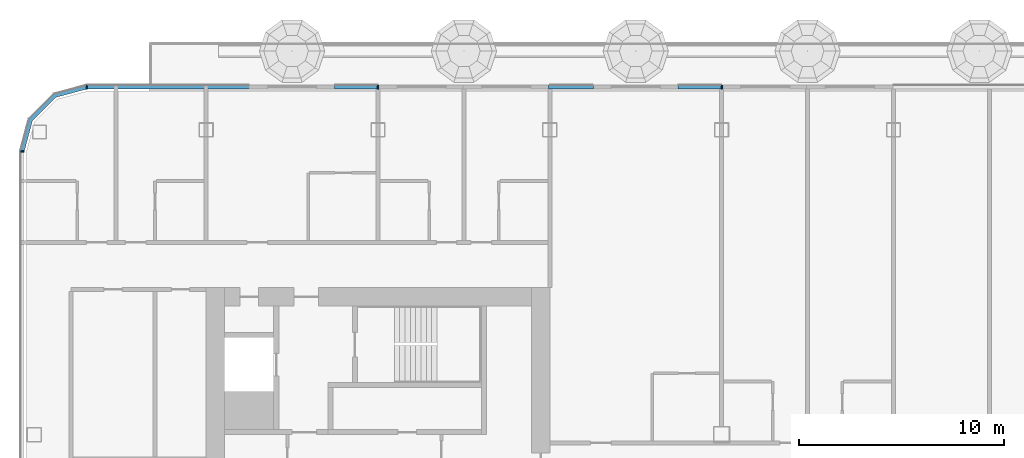
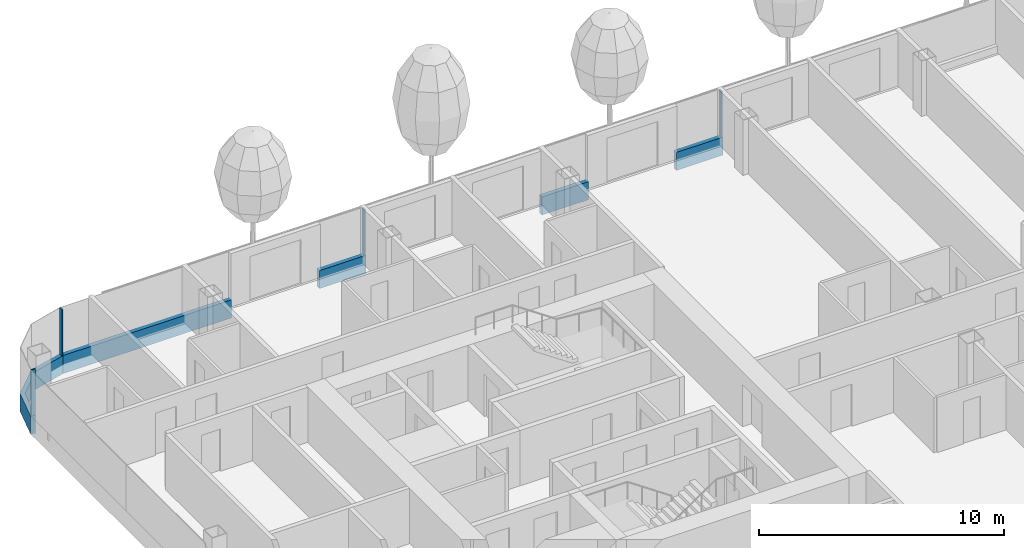
# One storey, part 5 of 30: 9 members, 3 elements without a shape of their own.
"""IFC4 building model written with IfcOpenShell, lengths in metres."""

import ifcopenshell
import ifcopenshell.guid

model = None  # the IFC model being written
_history = None  # IfcOwnerHistory: only IFC2X3 demands one
_inside = {}  # id of a spatial element -> (the spatial element, [elements in it])
_under = {}  # id of a project, library or spatial element -> (it, [spatial elements below it])
_declared = {}  # id of a project -> (the project, [libraries it declares])
_typed = {}  # id of a type object -> (the type object, [elements of that type])
_made_of = {}  # id of a material, layer set ... -> (it, [elements and type objects made of it])


def new_model(schema):
    """Start an empty IFC model of exactly this schema.

    Asked for "IFC4X3", IfcOpenShell would pick the latest addendum, in which some entities
    have other attributes; the version numbers below select the first issue.
    IFC2X3 requires an IfcOwnerHistory on every rooted entity: one is made here for all.
    """
    global model, _history
    if schema == "IFC4X3":
        model = ifcopenshell.file(schema_version=(4, 3, 0, 0))
    else:
        model = ifcopenshell.file(schema=schema)
    _inside.clear()
    _under.clear()
    _declared.clear()
    _typed.clear()
    _made_of.clear()
    _history = None
    if model.schema == "IFC2X3":
        org = make("IfcOrganization", Name="unknown")
        user = make(
            "IfcPersonAndOrganization",
            ThePerson=make("IfcPerson", FamilyName="unknown"),
            TheOrganization=org,
        )
        app = make(
            "IfcApplication",
            ApplicationDeveloper=org,
            Version="unknown",
            ApplicationFullName="unknown",
            ApplicationIdentifier="unknown",
        )
        _history = make(
            "IfcOwnerHistory",
            OwningUser=user,
            OwningApplication=app,
            ChangeAction="ADDED",
            CreationDate=0,
        )
    return model


def make(cls, **values):
    """One entity of the class cls with the attributes given. An attribute that is None is left unset."""
    return model.create_entity(
        cls, **{name: value for name, value in values.items() if value is not None}
    )


def rooted(cls, **values):
    """An entity with a GlobalId (a new one), such as an element, a storey or a relation."""
    return make(cls, GlobalId=ifcopenshell.guid.new(), OwnerHistory=_history, **values)


def si_unit(unit_type, name, prefix=None):
    """IfcSIUnit, for example si_unit("LENGTHUNIT", "METRE", prefix="MILLI")."""
    return make("IfcSIUnit", UnitType=unit_type, Prefix=prefix, Name=name)


def assignment(units):
    """IfcUnitAssignment: the units of a project."""
    return None if units is None else make("IfcUnitAssignment", Units=units)


def point(xyz):
    """IfcCartesianPoint."""
    return None if xyz is None else make("IfcCartesianPoint", Coordinates=xyz)


def direction(xyz):
    """IfcDirection."""
    return None if xyz is None else make("IfcDirection", DirectionRatios=xyz)


def frame(location, z_axis=None, x_axis=None):
    """IfcAxis2Placement3D, a coordinate frame: its origin and axes. An axis left out is left unset."""
    return make(
        "IfcAxis2Placement3D",
        Location=point(location),
        Axis=direction(z_axis),
        RefDirection=direction(x_axis),
    )


def frame_2d(location, x_axis=None):
    """IfcAxis2Placement2D, a coordinate frame in the plane: its origin and x axis."""
    return make(
        "IfcAxis2Placement2D", Location=point(location), RefDirection=direction(x_axis)
    )


def origin():
    """The frame at (0, 0, 0) with its axes left unset."""
    return frame((0.0, 0.0, 0.0))


def origin_2d():
    """The frame at (0, 0) in the plane with its x axis left unset."""
    return frame_2d((0.0, 0.0))


def place(relative_to, where):
    """IfcLocalPlacement: puts the frame where relative to a parent placement (None: the world)."""
    return make(
        "IfcLocalPlacement", PlacementRelTo=relative_to, RelativePlacement=where
    )


def context(
    kind, dimensions, precision=None, world=None, true_north=None, identifier=None
):
    """IfcGeometricRepresentationContext, for example the 3D "Model" context."""
    return make(
        "IfcGeometricRepresentationContext",
        ContextIdentifier=identifier,
        ContextType=kind,
        CoordinateSpaceDimension=dimensions,
        Precision=precision,
        WorldCoordinateSystem=world,
        TrueNorth=true_north,
    )


def subcontext(parent, identifier, kind, view, scale=None):
    """IfcGeometricRepresentationSubContext, for example "Body" below "Model"."""
    return make(
        "IfcGeometricRepresentationSubContext",
        ContextIdentifier=identifier,
        ContextType=kind,
        ParentContext=parent,
        TargetScale=scale,
        TargetView=view,
    )


def project(units=None, contexts=None):
    """IfcProject with its units and contexts."""
    return rooted(
        "IfcProject",
        Name="project",
        RepresentationContexts=contexts,
        UnitsInContext=assignment(units),
    )


def spatial(cls, under=None, at=None, **own):
    """A site, building, storey or space (cls), placed at a placement, below another one or the project."""
    s = rooted(cls, ObjectPlacement=at, **own)
    if under is not None:
        _under.setdefault(under.id(), (under, []))[1].append(s)
    return s


def polyline(points):
    """IfcPolyline through the points."""
    return make("IfcPolyline", Points=[point(p) for p in points])


def profile(cls, at=None, kind="AREA", **sizes):
    """A parametric profile (cls). Its sizes go by their IFC names, for example OverallWidth=200.0."""
    return make(cls, ProfileType=kind, Position=at, **sizes)


def rectangle(**sizes):
    """IfcRectangleProfileDef."""
    return profile("IfcRectangleProfileDef", **sizes)


def outline(outer, holes=None, kind="AREA"):
    """IfcArbitraryClosedProfileDef: a profile drawn as a closed curve; with holes, ...WithVoids."""
    if holes is None:
        return make("IfcArbitraryClosedProfileDef", ProfileType=kind, OuterCurve=outer)
    return make(
        "IfcArbitraryProfileDefWithVoids",
        ProfileType=kind,
        OuterCurve=outer,
        InnerCurves=holes,
    )


def extrude(swept, where, along, depth):
    """IfcExtrudedAreaSolid: the profile swept, set in the frame where, extruded along a direction by depth."""
    return make(
        "IfcExtrudedAreaSolid",
        SweptArea=swept,
        Position=where,
        ExtrudedDirection=direction(along),
        Depth=depth,
    )


def shape(context_of_items, identifier, shape_type, items):
    """IfcShapeRepresentation: the items that make up one representation, for example the "Body"."""
    return make(
        "IfcShapeRepresentation",
        ContextOfItems=context_of_items,
        RepresentationIdentifier=identifier,
        RepresentationType=shape_type,
        Items=items,
    )


def material(Name=None, Category=None):
    """IfcMaterial."""
    return make("IfcMaterial", Name=Name, Category=Category)


def layer(
    of_material, thickness, ventilated=None, Name=None, Category=None, Priority=None
):
    """IfcMaterialLayer: one layer of a wall or slab, of a material (None: an air gap)."""
    return make(
        "IfcMaterialLayer",
        Material=of_material,
        LayerThickness=thickness,
        IsVentilated=ventilated,
        Name=Name,
        Category=Category,
        Priority=Priority,
    )


def layer_set(layers, Name=None):
    """IfcMaterialLayerSet."""
    return make("IfcMaterialLayerSet", MaterialLayers=layers, LayerSetName=Name)


def material_profile(
    of_material, cross_section, Name=None, Category=None, Priority=None
):
    """IfcMaterialProfile: a cross section and its material."""
    return make(
        "IfcMaterialProfile",
        Name=Name,
        Material=of_material,
        Profile=cross_section,
        Priority=Priority,
        Category=Category,
    )


def profile_set(profiles, Name=None, composite=None):
    """IfcMaterialProfileSet."""
    return make(
        "IfcMaterialProfileSet",
        Name=Name,
        MaterialProfiles=profiles,
        CompositeProfile=composite,
    )


def made_of(thing, what):
    """Note that an element or type object is made of a material, layer set ...; save() writes the relation."""
    if what is not None:
        _made_of.setdefault(what.id(), (what, []))[1].append(thing)
    return thing


def type_object(cls, material=None, **own):
    """A type object (cls), such as IfcWallType, which elements share."""
    return made_of(rooted(cls, **own), material)


def element(
    cls,
    number,
    at=None,
    inside=None,
    cuts=None,
    type_object=None,
    material=None,
    context=None,
    identifier="Body",
    shape_type=None,
    held_by="IfcProductDefinitionShape",
    body=None,
    shapes=None,
    **own,
):
    """One element of the class cls, such as IfcWall. Its Tag is "e" and its number.

    at: its placement. inside: the storey or other place that contains it. cuts: it is an
    opening in that element (IfcRelVoidsElement). A single representation is given by context,
    identifier, shape_type and body (its items); several are given by shapes. held_by: the class
    of the entity that holds the representations. save() writes the other relations.
    """
    e = rooted(cls, Tag="e%d" % number, ObjectPlacement=at, **own)
    if body is not None:
        shapes = [shape(context, identifier, shape_type, body)]
    if shapes is not None:
        e.Representation = make(held_by, Representations=shapes)
    if inside is not None:
        _inside.setdefault(inside.id(), (inside, []))[1].append(e)
    if cuts is not None:
        rooted(
            "IfcRelVoidsElement", RelatingBuildingElement=cuts, RelatedOpeningElement=e
        )
    if type_object is not None:
        _typed.setdefault(type_object.id(), (type_object, []))[1].append(e)
    return made_of(e, material)


def aggregate(whole, parts):
    """IfcRelAggregates: a whole, such as a stair, and the parts it consists of."""
    return rooted("IfcRelAggregates", RelatingObject=whole, RelatedObjects=parts)


def save(model, path):
    """Write the relations noted so far, then the file.

    IfcRelAggregates (storeys below a building ...), IfcRelContainedInSpatialStructure (elements
    in a storey), IfcRelDefinesByType, IfcRelAssociatesMaterial and IfcRelDeclares: one each for
    every whole, place, type object, material and project.
    """
    for whole, parts in _under.values():
        aggregate(whole, parts)
    for where, things in _inside.values():
        rooted(
            "IfcRelContainedInSpatialStructure",
            RelatedElements=things,
            RelatingStructure=where,
        )
    for kind, things in _typed.values():
        rooted("IfcRelDefinesByType", RelatedObjects=things, RelatingType=kind)
    for what, things in _made_of.values():
        rooted("IfcRelAssociatesMaterial", RelatedObjects=things, RelatingMaterial=what)
    for by, libraries in _declared.values():
        rooted("IfcRelDeclares", RelatingContext=by, RelatedDefinitions=libraries)
    model.write(path)


model = new_model("IFC4")

# Units and contexts
model_context = context("Model", 3, precision=1e-05, world=origin(), true_north=direction((0.0, 1.0)))
body_context = subcontext(model_context, "Body", "Model", "MODEL_VIEW")
ifc_project = project(units=[si_unit("LENGTHUNIT", "METRE"), si_unit("AREAUNIT", "SQUARE_METRE"), si_unit("VOLUMEUNIT", "CUBIC_METRE"), si_unit("PLANEANGLEUNIT", "RADIAN"), si_unit("MASSUNIT", "GRAM", prefix="KILO")], contexts=[model_context])

# Site, building, storey
site_placement = place(None, origin())
site = spatial("IfcSite", under=ifc_project, at=site_placement, CompositionType="ELEMENT")
building_placement = place(site_placement, origin())
building = spatial("IfcBuilding", under=site, at=building_placement, Name="Hakoniwa Tower and Hamabe Station Hall", CompositionType="ELEMENT")
storey_placement = place(building_placement, frame((0.0, 0.0, 137.39990234375)))
storey = spatial("IfcBuildingStorey", under=building, at=storey_placement, Name="L38", CompositionType="ELEMENT", Elevation=137.39990234375)

# Curtain wall, members
ifc_material_1 = material(Name="Dark low-e laminated glass", Category="glass")
ifc_layer = layer(ifc_material_1, 0.199951171875)
ifc_layer_set = layer_set([ifc_layer], Name="CW-1 UNITISED GUEST")
curtain_wall_type = type_object("IfcCurtainWallType", Name="CW-1 UNITISED GUEST", PredefinedType="NOTDEFINED", material=ifc_layer_set)
curtain_wall_1_placement = place(storey_placement, origin())
curtain_wall_1 = element("IfcCurtainWall", 1, at=curtain_wall_1_placement, inside=storey, type_object=curtain_wall_type, Name="CW-1 curtain wall", PredefinedType="NOTDEFINED")
ifc_material_2 = material(Name="Aluminium 6063-T5 black anodised", Category="aluminium")
ifc_material_profile_1 = material_profile(ifc_material_2, rectangle(XDim=0.199951171875, YDim=0.89990234375, at=origin_2d()), Name="CW SLAB-EDGE BAND 900X200")
ifc_profile_set_1 = profile_set([ifc_material_profile_1], Name="Aluminium 6063-T5 black anodised")
member_type_1 = type_object("IfcMemberType", Name="CW SLAB-EDGE BAND 900X200", PredefinedType="USERDEFINED", material=ifc_profile_set_1)
member_1_placement = place(storey_placement, frame((-8.340087890625, 18.199951171875, -0.099853515625), z_axis=(-1.0, 0.0, 0.0), x_axis=(0.0, -1.0, 0.0)))
member_1 = element("IfcMember", 2, at=member_1_placement, type_object=member_type_1, Name="CW-1 transom", ObjectType="TRANSOM", PredefinedType="USERDEFINED", context=body_context, shape_type="SweptSolid", body=[
    extrude(rectangle(XDim=0.199951171875, YDim=0.89990234375, at=origin_2d()), origin(), (0.0, 0.0, 1.0), 2.18994140625),
])
member_2_placement = place(storey_placement, frame((-14.669921875, 18.199951171875, -0.099853515625), z_axis=(-1.0, 0.0, 0.0), x_axis=(0.0, -1.0, 0.0)))
member_2 = element("IfcMember", 3, at=member_2_placement, type_object=member_type_1, Name="CW-1 transom", ObjectType="TRANSOM", PredefinedType="USERDEFINED", context=body_context, shape_type="SweptSolid", body=[
    extrude(rectangle(XDim=0.199951171875, YDim=0.89990234375, at=origin_2d()), origin(), (0.0, 0.0, 1.0), 2.190185546875),
])
member_3_placement = place(storey_placement, frame((-25.139892578125, 18.199951171875, -0.099853515625), z_axis=(-1.0, 0.0, 0.0), x_axis=(0.0, -1.0, 0.0)))
member_3 = element("IfcMember", 4, at=member_3_placement, type_object=member_type_1, Name="CW-1 transom", ObjectType="TRANSOM", PredefinedType="USERDEFINED", context=body_context, shape_type="SweptSolid", body=[
    extrude(rectangle(XDim=0.199951171875, YDim=0.89990234375, at=origin_2d()), origin(), (0.0, 0.0, 1.0), 2.190185546875),
])
member_4_placement = place(storey_placement, frame((-31.469970703125, 18.199951171875, -0.099853515625), z_axis=(-1.0, 0.0, 0.0), x_axis=(0.0, -1.0, 0.0)))
member_4 = element("IfcMember", 5, at=member_4_placement, type_object=member_type_1, Name="CW-1 transom", ObjectType="TRANSOM", PredefinedType="USERDEFINED", context=body_context, shape_type="SweptSolid", body=[
    extrude(rectangle(XDim=0.199951171875, YDim=0.89990234375, at=origin_2d()), origin(), (0.0, 0.0, 1.0), 7.969482421875),
])

# Curtain wall, member
curtain_wall_2_placement = place(storey_placement, origin())
curtain_wall_2 = element("IfcCurtainWall", 6, at=curtain_wall_2_placement, inside=storey, type_object=curtain_wall_type, Name="CW-1 curtain wall", PredefinedType="NOTDEFINED")
member_5_placement = place(storey_placement, frame((0.0, 0.0, -0.5498046875)))
member_5 = element("IfcMember", 7, at=member_5_placement, type_object=member_type_1, Name="CW-1 transom", ObjectType="TRANSOM", PredefinedType="USERDEFINED", context=body_context, shape_type="SweptSolid", body=[
    extrude(outline(polyline([(-39.439453125, 18.300048828125), (-41.05517578125, 17.866943359375), (-42.26708984375, 16.6552734375), (-42.699951171875, 15.03955078125), (-42.5068359375, 14.98779296875), (-42.087646484375, 16.5517578125), (-40.95166015625, 17.687744140625), (-39.3876953125, 18.10693359375), (-39.439453125, 18.300048828125)])), origin(), (0.0, 0.0, 1.0), 0.89990234375),
])
aggregate(curtain_wall_2, [member_5])

# Member
ifc_material_3 = material(Name="Aluminium 6063-T5 black anodised", Category="aluminium")
ifc_material_profile_2 = material_profile(ifc_material_3, rectangle(XDim=0.06005859375, YDim=0.179931640625, at=origin_2d()), Name="CW-1 MULLION 60X180")
ifc_profile_set_2 = profile_set([ifc_material_profile_2], Name="Aluminium 6063-T5 black anodised")
member_type_2 = type_object("IfcMemberType", Name="CW-1 MULLION 60X180", PredefinedType="MULLION", material=ifc_profile_set_2)
member_6_placement = place(storey_placement, frame((-8.39990234375, 18.181884765625, 0.35009765625), z_axis=(0.0, 0.0, 1.0), x_axis=(-1.0, 0.0, 0.0)))
member_6 = element("IfcMember", 8, at=member_6_placement, type_object=member_type_2, Name="CW-1 mullion", PredefinedType="MULLION", context=body_context, shape_type="SweptSolid", body=[
    extrude(rectangle(XDim=0.06005859375, YDim=0.179931640625, at=origin_2d()), origin(), (0.0, 0.0, 1.0), 2.300048828125),
])

member_7_placement = place(storey_placement, frame((-25.199951171875, 18.181884765625, 0.35009765625), z_axis=(0.0, 0.0, 1.0), x_axis=(-1.0, 0.0, 0.0)))
member_7 = element("IfcMember", 9, at=member_7_placement, type_object=member_type_2, Name="CW-1 mullion", PredefinedType="MULLION", context=body_context, shape_type="SweptSolid", body=[
    extrude(rectangle(XDim=0.06005859375, YDim=0.179931640625, at=origin_2d()), origin(), (0.0, 0.0, 1.0), 2.300048828125),
])

member_8_placement = place(storey_placement, frame((-39.439453125, 18.181884765625, 0.35009765625), z_axis=(0.0, 0.0, 1.0), x_axis=(-1.0, 0.0, 0.0)))
member_8 = element("IfcMember", 10, at=member_8_placement, type_object=member_type_2, Name="CW-1 mullion", PredefinedType="MULLION", context=body_context, shape_type="SweptSolid", body=[
    extrude(rectangle(XDim=0.06005859375, YDim=0.179931640625, at=origin_2d()), origin(), (0.0, 0.0, 1.0), 2.300048828125),
])

aggregate(curtain_wall_1, [member_6, member_7, member_8, member_1, member_2, member_3, member_4])

# Curtain wall, member
curtain_wall_3_placement = place(storey_placement, origin())
curtain_wall_3 = element("IfcCurtainWall", 11, at=curtain_wall_3_placement, inside=storey, type_object=curtain_wall_type, Name="CW-1 curtain wall", PredefinedType="NOTDEFINED")
member_9_placement = place(storey_placement, frame((-42.58203125, 15.03955078125, 0.35009765625), z_axis=(0.0, 0.0, 1.0), x_axis=(0.0, -1.0, 0.0)))
member_9 = element("IfcMember", 12, at=member_9_placement, type_object=member_type_2, Name="CW-1 mullion", PredefinedType="MULLION", context=body_context, shape_type="SweptSolid", body=[
    extrude(rectangle(XDim=0.06005859375, YDim=0.179931640625, at=origin_2d()), origin(), (0.0, 0.0, 1.0), 2.300048828125),
])
aggregate(curtain_wall_3, [member_9])

save(model, "model.ifc")
